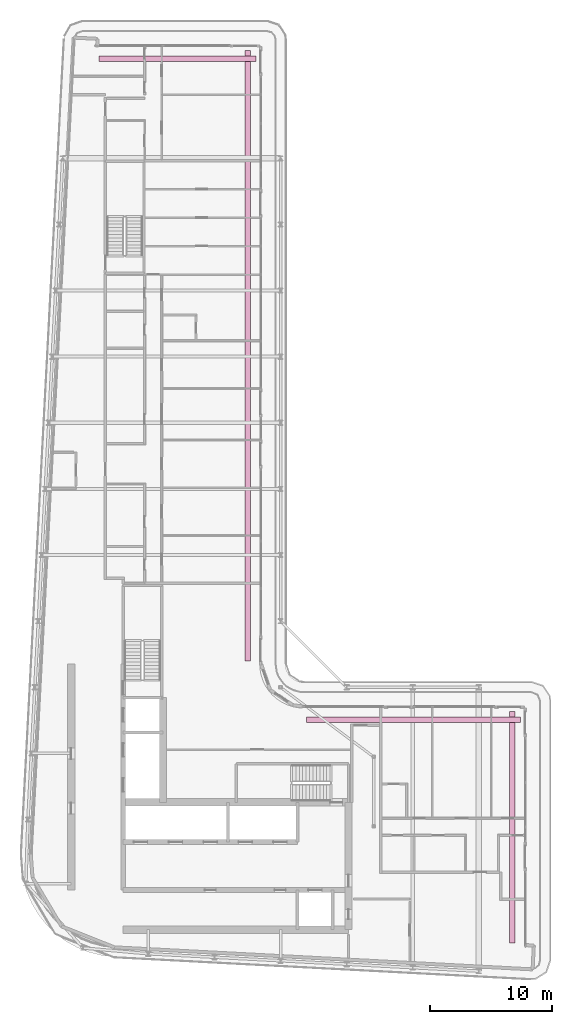
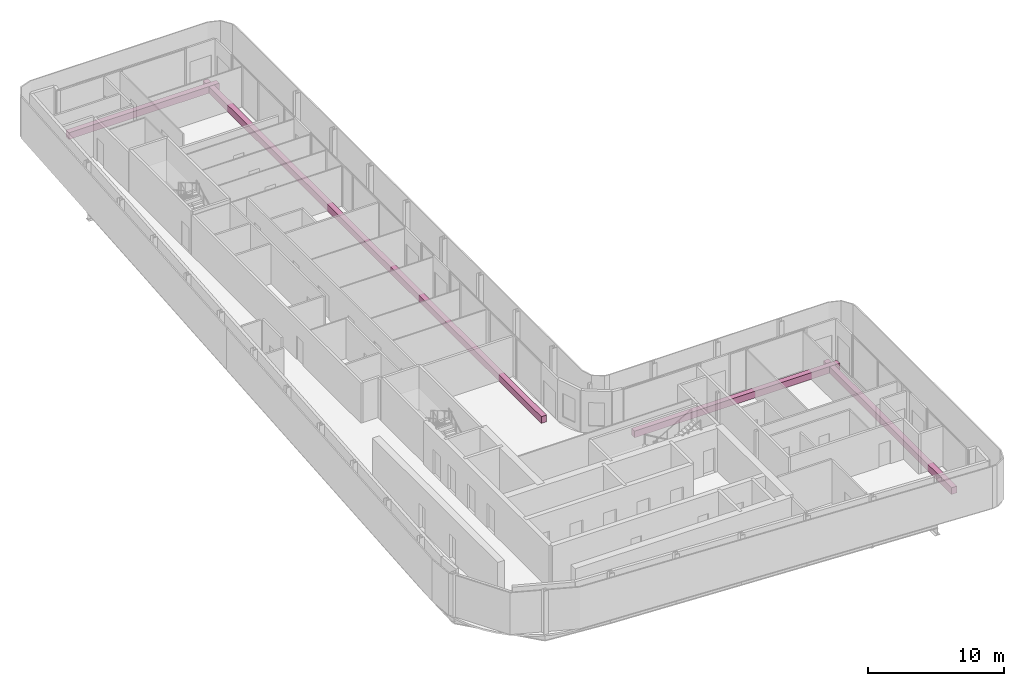
# One storey, part 21 of 21: 4 furniture elements.
"""IFC4 building model written with IfcOpenShell, lengths in metres."""

from ifc_helpers import new_model, si_unit, direction, frame, origin, origin_2d, place, context, subcontext, project, spatial, rectangle, extrude, material, type_object, element, save


model = new_model("IFC4")

# Units and contexts
model_context = context("Model", 3, precision=1e-05, world=origin(), true_north=direction((0.0, 1.0)))
body_context = subcontext(model_context, "Body", "Model", "MODEL_VIEW")
ifc_project = project(units=[si_unit("LENGTHUNIT", "METRE"), si_unit("AREAUNIT", "SQUARE_METRE"), si_unit("VOLUMEUNIT", "CUBIC_METRE"), si_unit("PLANEANGLEUNIT", "RADIAN"), si_unit("MASSUNIT", "GRAM", prefix="KILO")], contexts=[model_context])

# Site, building, storey
site_placement = place(None, origin())
site = spatial("IfcSite", under=ifc_project, at=site_placement, CompositionType="ELEMENT")
building_placement = place(site_placement, origin())
building = spatial("IfcBuilding", under=site, at=building_placement, Name="Kheshtan School and Residences Tower", CompositionType="ELEMENT")
storey_placement = place(building_placement, frame((0.0, 0.0, 321.5)))
storey = spatial("IfcBuildingStorey", under=building, at=storey_placement, Name="L76", CompositionType="ELEMENT", Elevation=321.5)

# Furniture
ifc_material = material(Name="Precast concrete C30/37 in terracotta finish", Category="masonry")
furniture_type = type_object("IfcFurnitureType", Name="Planter trough", AssemblyPlace="NOTDEFINED", PredefinedType="USERDEFINED", material=ifc_material)
furniture_1_placement = place(storey_placement, frame((39.196044921875, 96.925048828125, 0.0), z_axis=(0.0, 0.0, 1.0), x_axis=(1.0, 0.0, 0.0)))
element("IfcFurniture", 1, at=furniture_1_placement, inside=storey, type_object=furniture_type, Name="Planter L76", ObjectType="PLANTER", PredefinedType="USERDEFINED", context=body_context, shape_type="SweptSolid", body=[
    extrude(rectangle(XDim=12.80810546875, YDim=0.449951171875, at=origin_2d()), origin(), (0.0, 0.0, 1.0), 0.60009765625),
])
furniture_2_placement = place(storey_placement, frame((44.925048828125, 72.6650390625, 0.0), z_axis=(0.0, 0.0, 1.0), x_axis=(0.0, -1.0, 0.0)))
element("IfcFurniture", 2, at=furniture_2_placement, inside=storey, type_object=furniture_type, Name="Planter L76", ObjectType="PLANTER", PredefinedType="USERDEFINED", context=body_context, shape_type="SweptSolid", body=[
    extrude(rectangle(XDim=49.8701171875, YDim=0.449951171875, at=origin_2d()), origin(), (0.0, 0.0, 1.0), 0.60009765625),
])
furniture_3_placement = place(storey_placement, frame((58.465087890625, 42.925048828125, 0.0), z_axis=(0.0, 0.0, 1.0), x_axis=(1.0, 0.0, 0.0)))
element("IfcFurniture", 3, at=furniture_3_placement, inside=storey, type_object=furniture_type, Name="Planter L76", ObjectType="PLANTER", PredefinedType="USERDEFINED", context=body_context, shape_type="SweptSolid", body=[
    extrude(rectangle(XDim=17.469970703125, YDim=0.449951171875, at=origin_2d()), origin(), (0.0, 0.0, 1.0), 0.60009765625),
])
furniture_4_placement = place(storey_placement, frame((66.52490234375, 34.159912109375, 0.0), z_axis=(0.0, 0.0, 1.0), x_axis=(0.0, -1.0, 0.0)))
element("IfcFurniture", 4, at=furniture_4_placement, inside=storey, type_object=furniture_type, Name="Planter L76", ObjectType="PLANTER", PredefinedType="USERDEFINED", context=body_context, shape_type="SweptSolid", body=[
    extrude(rectangle(XDim=18.881103515625, YDim=0.449951171875, at=origin_2d()), origin(), (0.0, 0.0, 1.0), 0.60009765625),
])

save(model, "model.ifc")
